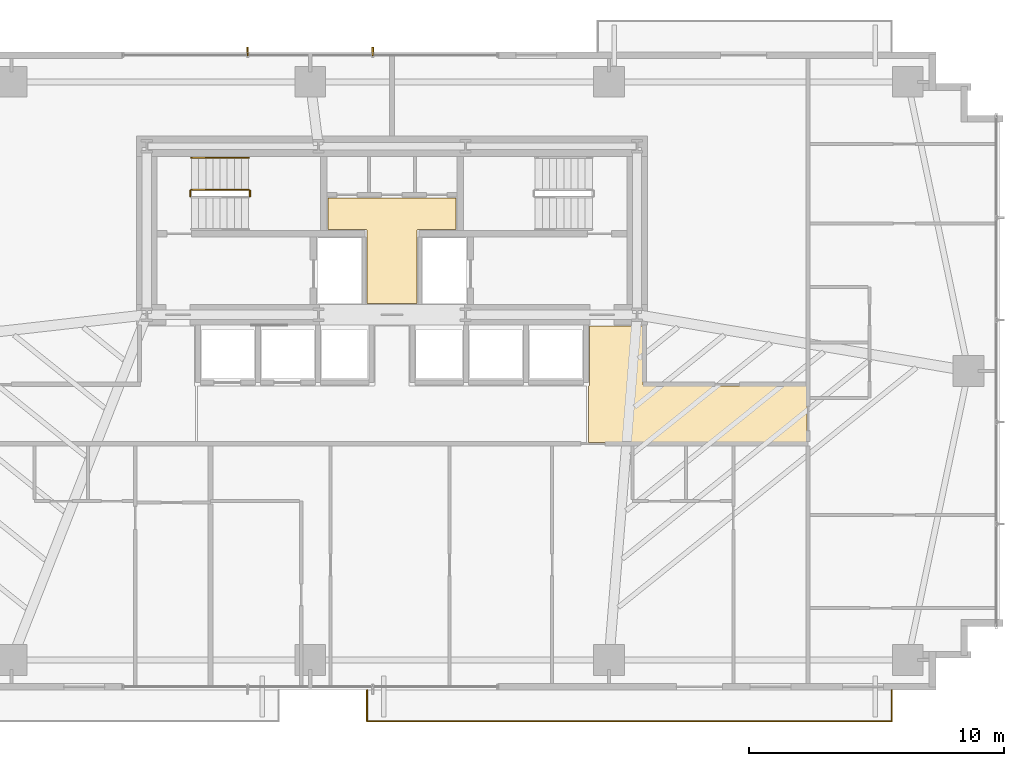
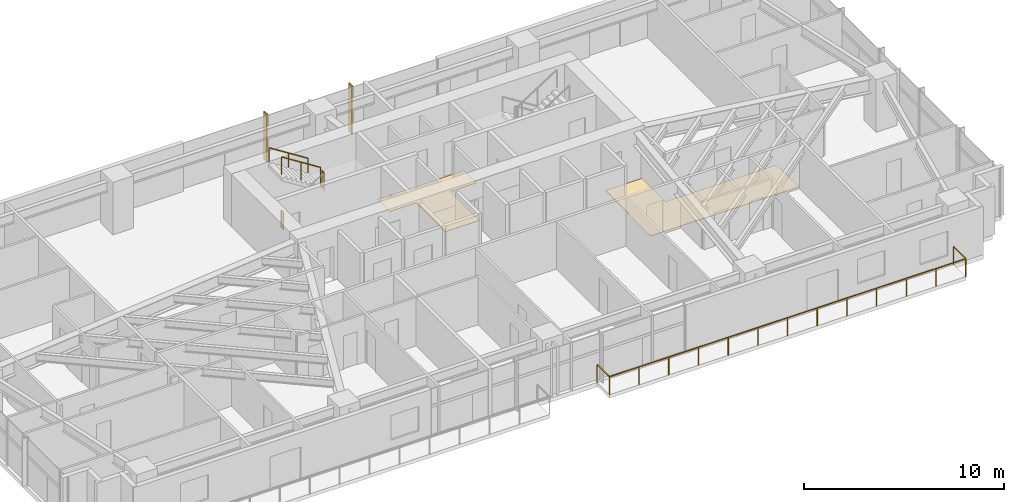
# One storey, part 24 of 25: 5 railings, 2 coverings, 2 shading devices.
"""IFC4 building model written with IfcOpenShell, lengths in metres."""

from ifc_helpers import new_model, si_unit, direction, frame, origin, origin_2d, place, context, subcontext, project, spatial, polyline, rectangle, outline, extrude, source, transform, mapped, material, layer, layer_set, type_object, type_shapes, element, save


model = new_model("IFC4")

# Units and contexts
model_context = context("Model", 3, precision=1e-05, world=origin(), true_north=direction((0.0, 1.0)))
body_context = subcontext(model_context, "Body", "Model", "MODEL_VIEW")
ifc_project = project(units=[si_unit("LENGTHUNIT", "METRE"), si_unit("AREAUNIT", "SQUARE_METRE"), si_unit("VOLUMEUNIT", "CUBIC_METRE"), si_unit("PLANEANGLEUNIT", "RADIAN"), si_unit("MASSUNIT", "GRAM", prefix="KILO")], contexts=[model_context])

# Site, building, storey
site_placement = place(None, origin())
site = spatial("IfcSite", under=ifc_project, at=site_placement, CompositionType="ELEMENT")
building_placement = place(site_placement, origin())
building = spatial("IfcBuilding", under=site, at=building_placement, Name="Astriad Promenade Condominiums", CompositionType="ELEMENT")
storey_placement = place(building_placement, frame((0.0, 0.0, 29.39990234375)))
storey = spatial("IfcBuildingStorey", under=building, at=storey_placement, Name="L07", CompositionType="ELEMENT", Elevation=29.39990234375)

# Coverings
ifc_material_1 = material(Name="Polished Lakefront Terrazzo Flooring")
ifc_layer = layer(ifc_material_1, 0.02001953125)
ifc_layer_set = layer_set([ifc_layer], Name="Polished Lakefront Terrazzo Flooring")
covering_type = type_object("IfcCoveringType", Name="COV-FLOR-TERRAZZO-20", PredefinedType="FLOORING", material=ifc_layer_set)
covering_1_placement = place(storey_placement, origin())
element("IfcCovering", 1, at=covering_1_placement, inside=storey, type_object=covering_type, Name="FLR-L07-CSL", PredefinedType="FLOORING", context=body_context, shape_type="SweptSolid", body=[
    extrude(outline(polyline([(36.97998046875, 20.699951171875), (36.97998046875, 17.840087890625), (35.02001953125, 17.840087890625), (35.02001953125, 20.699951171875), (35.019775390625, 20.703857421875), (35.019287109375, 20.707763671875), (35.018310546875, 20.711669921875), (35.01708984375, 20.71533203125), (35.015380859375, 20.718994140625), (35.01318359375, 20.72216796875), (35.010986328125, 20.725341796875), (35.00830078125, 20.728271484375), (35.00537109375, 20.73095703125), (35.002197265625, 20.7333984375), (34.998779296875, 20.7353515625), (34.995361328125, 20.737060546875), (34.99169921875, 20.73828125), (34.98779296875, 20.7392578125), (34.98388671875, 20.73974609375), (34.97998046875, 20.739990234375), (33.5, 20.739990234375), (33.5, 21.97998046875), (38.5, 21.97998046875), (38.5, 20.739990234375), (37.02001953125, 20.739990234375), (37.01611328125, 20.73974609375), (37.01220703125, 20.7392578125), (37.00830078125, 20.73828125), (37.004638671875, 20.737060546875), (37.001220703125, 20.7353515625), (36.997802734375, 20.7333984375), (36.99462890625, 20.73095703125), (36.99169921875, 20.728271484375), (36.989013671875, 20.725341796875), (36.98681640625, 20.72216796875), (36.984619140625, 20.718994140625), (36.98291015625, 20.71533203125), (36.981689453125, 20.711669921875), (36.980712890625, 20.707763671875), (36.980224609375, 20.703857421875), (36.97998046875, 20.699951171875)])), origin(), (0.0, 0.0, 1.0), 0.02001953125),
])
covering_2_placement = place(storey_placement, origin())
element("IfcCovering", 2, at=covering_2_placement, inside=storey, type_object=covering_type, Name="FLR-L07-COR-1", PredefinedType="FLOORING", context=body_context, shape_type="SweptSolid", body=[
    extrude(outline(polyline([(43.699951171875, 12.389892578125), (43.699951171875, 14.610107421875), (43.703857421875, 14.610107421875), (43.707763671875, 14.61083984375), (43.711669921875, 14.61181640625), (43.71533203125, 14.613037109375), (43.718994140625, 14.61474609375), (43.72216796875, 14.61669921875), (43.725341796875, 14.619140625), (43.728271484375, 14.62158203125), (43.73095703125, 14.62451171875), (43.7333984375, 14.627685546875), (43.7353515625, 14.631103515625), (43.737060546875, 14.634765625), (43.73828125, 14.638427734375), (43.7392578125, 14.64208984375), (43.73974609375, 14.64599609375), (43.739990234375, 14.64990234375), (43.739990234375, 16.9599609375), (45.840087890625, 16.9599609375), (45.840087890625, 14.659912109375), (45.840087890625, 14.656005859375), (45.8408203125, 14.652099609375), (45.841796875, 14.6484375), (45.843017578125, 14.644775390625), (45.8447265625, 14.64111328125), (45.8466796875, 14.6376953125), (45.84912109375, 14.634521484375), (45.851806640625, 14.631591796875), (45.8544921875, 14.629150390625), (45.85791015625, 14.626708984375), (45.861083984375, 14.624755859375), (45.86474609375, 14.623046875), (45.868408203125, 14.62158203125), (45.872314453125, 14.620849609375), (45.876220703125, 14.6201171875), (45.8798828125, 14.6201171875), (52.260009765625, 14.6201171875), (52.260009765625, 12.389892578125), (43.699951171875, 12.389892578125)])), origin(), (0.0, 0.0, 1.0), 0.02001953125),
])

# Shading devices
ifc_material_2 = material(Name="Anodised aluminium 6063-T6 Black Fin", Category="aluminium")
shading_device_type = type_object("IfcShadingDeviceType", Name="FIN-BLACK-320", PredefinedType="USERDEFINED", material=ifc_material_2)
shared_shape_1 = source(origin(), body_context, "Body", "SweptSolid", [
    extrude(rectangle(XDim=0.06494140625, YDim=0.320068359375, at=origin_2d()), origin(), (0.0, 0.0, 1.0), 2.93994140625),
])
type_shapes(shading_device_type, [shared_shape_1])
for number, where, z_axis, x_axis, name in (
    (3, (30.35009765625, 27.7099609375, 0.000244140625), (0.0, 0.0, 1.0), (1.0, 0.0, 0.0), "CW-L07-N-FIN-01"),
    (4, (35.25, 27.7099609375, 0.000244140625), (0.0, 0.0, 1.0), (1.0, 0.0, 0.0), "CW-L07-N-FIN-02"),
):
    element("IfcShadingDevice", number, at=place(storey_placement, frame(where, z_axis=z_axis, x_axis=x_axis)), inside=storey, type_object=shading_device_type, Name=name, ObjectType="FIN", PredefinedType="USERDEFINED", context=body_context, shape_type="MappedRepresentation", body=[
        mapped(shared_shape_1, transform((0.0, 0.0, 0.0), scale=1.0)),
    ])

# Railings
ifc_material_3 = material(Name="Laminated Glass and Stainless Steel Balustrade", Category="steel")
railing_type_1 = type_object("IfcRailingType", Name="GRD-BALC-1120", PredefinedType="BALUSTRADE", material=ifc_material_3)
shared_shape_2 = source(origin(), body_context, "Body", "SweptSolid", [
    extrude(rectangle(XDim=0.048095703125, YDim=0.048095703125, at=origin_2d()), frame((0.0, 0.0, 1.09619140625), z_axis=(0.0, -1.0, 0.0), x_axis=(1.0, 0.0, 0.0)), (0.0, 0.0, 1.0), 1.219970703125),
    extrude(rectangle(XDim=0.048095703125, YDim=0.048095703125, at=origin_2d()), frame((0.0, -1.219970703125, 1.09619140625), z_axis=(1.0, 0.0, 0.0), x_axis=(0.0, 1.0, 0.0)), (0.0, 0.0, 1.0), 20.55078125),
    extrude(rectangle(XDim=0.048095703125, YDim=0.048095703125, at=origin_2d()), frame((20.55078125, -1.219970703125, 1.09619140625), z_axis=(0.0, 1.0, 0.0), x_axis=(-1.0, 0.0, 0.0)), (0.0, 0.0, 1.0), 1.219970703125),
    extrude(rectangle(XDim=0.0419921875, YDim=0.0419921875, at=origin_2d()), origin(), (0.0, 0.0, 1.0), 1.072021484375),
    extrude(rectangle(XDim=0.0419921875, YDim=0.0419921875, at=origin_2d()), frame((0.0, -1.219970703125, 0.0)), (0.0, 0.0, 1.0), 1.072021484375),
    extrude(rectangle(XDim=0.0419921875, YDim=0.0419921875, at=origin_2d()), frame((1.712646484375, -1.219970703125, 0.0)), (0.0, 0.0, 1.0), 1.072021484375),
    extrude(rectangle(XDim=0.0419921875, YDim=0.0419921875, at=origin_2d()), frame((3.425048828125, -1.219970703125, 0.0)), (0.0, 0.0, 1.0), 1.072021484375),
    extrude(rectangle(XDim=0.0419921875, YDim=0.0419921875, at=origin_2d()), frame((5.1376953125, -1.219970703125, 0.0)), (0.0, 0.0, 1.0), 1.072021484375),
    extrude(rectangle(XDim=0.0419921875, YDim=0.0419921875, at=origin_2d()), frame((6.850341796875, -1.219970703125, 0.0)), (0.0, 0.0, 1.0), 1.072021484375),
    extrude(rectangle(XDim=0.0419921875, YDim=0.0419921875, at=origin_2d()), frame((8.562744140625, -1.219970703125, 0.0)), (0.0, 0.0, 1.0), 1.072021484375),
    extrude(rectangle(XDim=0.0419921875, YDim=0.0419921875, at=origin_2d()), frame((10.275390625, -1.219970703125, 0.0)), (0.0, 0.0, 1.0), 1.072021484375),
    extrude(rectangle(XDim=0.0419921875, YDim=0.0419921875, at=origin_2d()), frame((11.988037109375, -1.219970703125, 0.0)), (0.0, 0.0, 1.0), 1.072021484375),
    extrude(rectangle(XDim=0.0419921875, YDim=0.0419921875, at=origin_2d()), frame((13.700439453125, -1.219970703125, 0.0)), (0.0, 0.0, 1.0), 1.072021484375),
    extrude(rectangle(XDim=0.0419921875, YDim=0.0419921875, at=origin_2d()), frame((15.4130859375, -1.219970703125, 0.0)), (0.0, 0.0, 1.0), 1.072021484375),
    extrude(rectangle(XDim=0.0419921875, YDim=0.0419921875, at=origin_2d()), frame((17.125732421875, -1.219970703125, 0.0)), (0.0, 0.0, 1.0), 1.072021484375),
    extrude(rectangle(XDim=0.0419921875, YDim=0.0419921875, at=origin_2d()), frame((18.838134765625, -1.219970703125, 0.0)), (0.0, 0.0, 1.0), 1.072021484375),
    extrude(rectangle(XDim=0.0419921875, YDim=0.0419921875, at=origin_2d()), frame((20.55078125, -1.219970703125, 0.0)), (0.0, 0.0, 1.0), 1.072021484375),
    extrude(rectangle(XDim=0.0419921875, YDim=0.0419921875, at=origin_2d()), frame((20.55078125, 0.0, 0.0)), (0.0, 0.0, 1.0), 1.072021484375),
])
type_shapes(railing_type_1, [shared_shape_2])
railing_1_placement = place(storey_placement, frame((35.027099609375, 2.699951171875, 0.0)))
element("IfcRailing", 5, at=railing_1_placement, inside=storey, type_object=railing_type_1, Name="GRD-BALC-L07-SE", PredefinedType="BALUSTRADE", context=body_context, shape_type="MappedRepresentation", body=[
    mapped(shared_shape_2, transform((0.0, 0.0, 0.0), scale=1.0)),
])
ifc_material_4 = material(Name="Painted Galvanised Steel Guardrail", Category="steel")
railing_type_2 = type_object("IfcRailingType", Name="GRD-STAIR-1100", PredefinedType="GUARDRAIL", material=ifc_material_4)
shared_shape_3 = source(origin(), body_context, "Body", "SweptSolid", [
    extrude(rectangle(XDim=0.048095703125, YDim=0.048095703125, at=origin_2d()), frame((0.0, 0.0, 1.076171875), z_axis=(0.0, 1.0, 0.0), x_axis=(-1.0, 0.0, 0.0)), (0.0, 0.0, 1.0), 0.199951171875),
    extrude(rectangle(XDim=0.0419921875, YDim=0.0419921875, at=origin_2d()), origin(), (0.0, 0.0, 1.0), 1.052001953125),
    extrude(rectangle(XDim=0.0419921875, YDim=0.0419921875, at=origin_2d()), frame((0.0, 0.199951171875, 0.0)), (0.0, 0.0, 1.0), 1.052001953125),
])
for number, where, name in (
    (6, (30.43994140625, 22.050048828125, 1.60009765625), "L07 ST-1 stair guard 2"),
    (7, (28.10009765625, 22.050048828125, 0.0), "L07 ST-1 stair guard 4"),
):
    element("IfcRailing", number, at=place(storey_placement, frame(where)), inside=storey, type_object=railing_type_2, Name=name, PredefinedType="GUARDRAIL", context=body_context, shape_type="MappedRepresentation", body=[
        mapped(shared_shape_3, transform((0.0, 0.0, 0.0), scale=1.0)),
    ])
shared_shape_4 = source(origin(), body_context, "Body", "SweptSolid", [
    extrude(rectangle(XDim=0.048095703125, YDim=0.048095703125, at=origin_2d()), frame((0.0, 0.0, 1.076171875), z_axis=(-0.84418770128, 0.0, 0.536047689118), x_axis=(0.0, -1.0, 0.0)), (0.0, 0.0, 1.0), 2.6533203125),
    extrude(rectangle(XDim=0.0419921875, YDim=0.0419921875, at=origin_2d()), origin(), (0.0, 0.0, 1.0), 1.052001953125),
    extrude(rectangle(XDim=0.0419921875, YDim=0.0419921875, at=origin_2d()), frame((-1.1201171875, 0.0, 0.711181640625)), (0.0, 0.0, 1.0), 1.052001953125),
    extrude(rectangle(XDim=0.0419921875, YDim=0.0419921875, at=origin_2d()), frame((-2.239990234375, 0.0, 1.42236328125)), (0.0, 0.0, 1.0), 1.052001953125),
])
type_shapes(railing_type_2, [shared_shape_3, shared_shape_4])
railing_2_placement = place(storey_placement, frame((30.389892578125, 22.300048828125, 1.77783203125)))
element("IfcRailing", 8, at=railing_2_placement, inside=storey, type_object=railing_type_2, Name="L07 ST-1 stair guard 3", PredefinedType="GUARDRAIL", context=body_context, shape_type="MappedRepresentation", body=[
    mapped(shared_shape_4, transform((0.0, 0.0, 0.0), scale=1.0)),
])
ifc_material_5 = material(Name="Brushed Stainless Steel Handrail", Category="steel")
railing_type_3 = type_object("IfcRailingType", Name="HRL-STAIR-920", PredefinedType="HANDRAIL", material=ifc_material_5)
shared_shape_5 = source(origin(), body_context, "Body", "SweptSolid", [
    extrude(rectangle(XDim=0.048095703125, YDim=0.048095703125, at=origin_2d()), frame((0.0, 0.0, 0.8759765625), z_axis=(-0.84418770128, 0.0, 0.536047689118), x_axis=(0.0, -1.0, 0.0)), (0.0, 0.0, 1.0), 2.6533203125),
    extrude(rectangle(XDim=0.0419921875, YDim=0.0419921875, at=origin_2d()), origin(), (0.0, 0.0, 1.0), 0.851806640625),
    extrude(rectangle(XDim=0.0419921875, YDim=0.0419921875, at=origin_2d()), frame((-1.1201171875, 0.0, 0.711181640625)), (0.0, 0.0, 1.0), 0.851806640625),
    extrude(rectangle(XDim=0.0419921875, YDim=0.0419921875, at=origin_2d()), frame((-2.239990234375, 0.0, 1.42236328125)), (0.0, 0.0, 1.0), 0.851806640625),
])
type_shapes(railing_type_3, [shared_shape_5])
railing_3_placement = place(storey_placement, frame((30.389892578125, 23.550048828125, 1.77783203125)))
element("IfcRailing", 9, at=railing_3_placement, inside=storey, type_object=railing_type_3, Name="L07 ST-1 stair handrail 2", PredefinedType="HANDRAIL", context=body_context, shape_type="MappedRepresentation", body=[
    mapped(shared_shape_5, transform((0.0, 0.0, 0.0), scale=1.0)),
])

save(model, "model.ifc")
